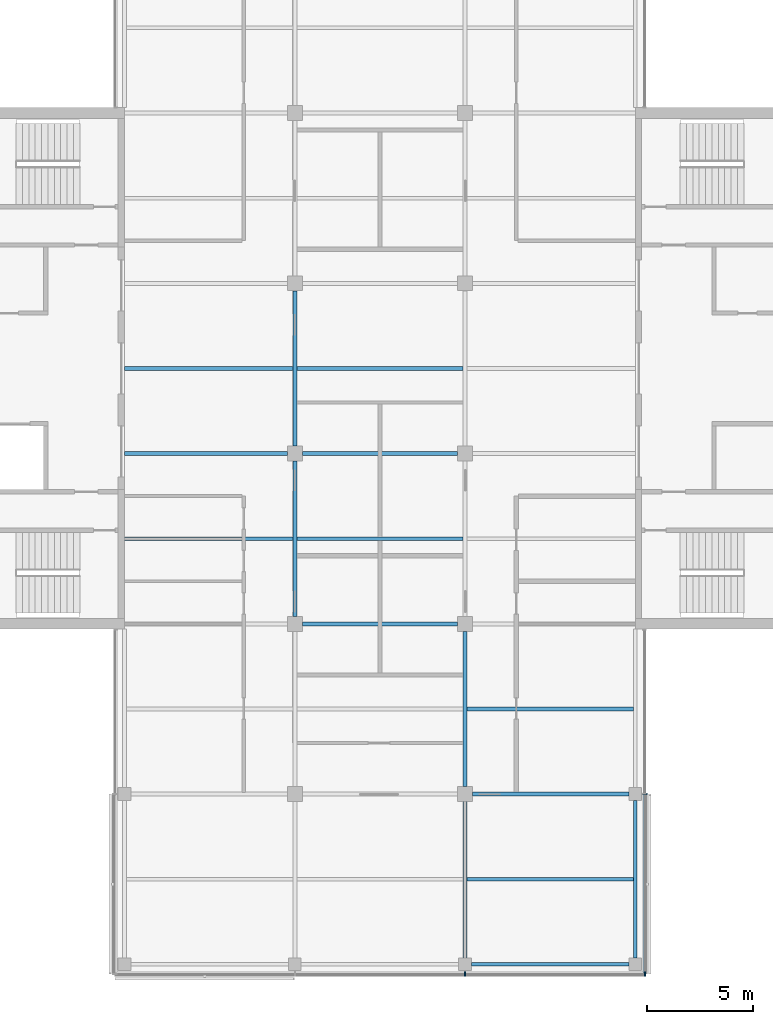
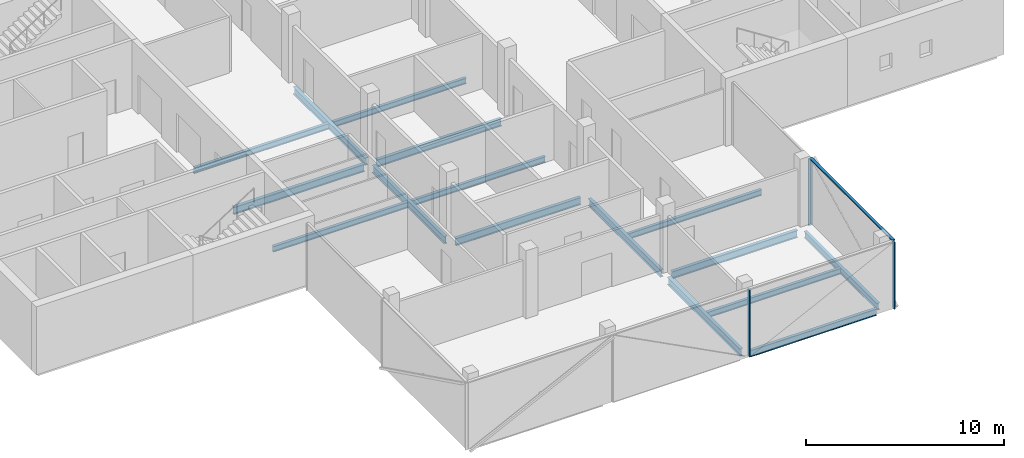
# One storey, part 3 of 16: 16 beams, 4 members, 2 elements without a shape of their own.
"""IFC4 building model written with IfcOpenShell, lengths in metres."""

from ifc_helpers import new_model, si_unit, direction, frame, origin, origin_2d, place, context, subcontext, project, spatial, rectangle, i_section, extrude, material, material_profile, profile_set, type_object, element, aggregate, save


model = new_model("IFC4")

# Units and contexts
model_context = context("Model", 3, precision=1e-05, world=origin(), true_north=direction((0.0, 1.0)))
body_context = subcontext(model_context, "Body", "Model", "MODEL_VIEW")
ifc_project = project(units=[si_unit("LENGTHUNIT", "METRE"), si_unit("AREAUNIT", "SQUARE_METRE"), si_unit("VOLUMEUNIT", "CUBIC_METRE"), si_unit("PLANEANGLEUNIT", "RADIAN"), si_unit("MASSUNIT", "GRAM", prefix="KILO")], contexts=[model_context])

# Site, building, storey
site_placement = place(None, origin())
site = spatial("IfcSite", under=ifc_project, at=site_placement, CompositionType="ELEMENT")
building_placement = place(site_placement, origin())
building = spatial("IfcBuilding", under=site, at=building_placement, Name="Crosswind Convention Tower", CompositionType="ELEMENT")
storey_placement = place(building_placement, frame((0.0, 0.0, 291.300048828125)))
storey = spatial("IfcBuildingStorey", under=building, at=storey_placement, Name="L63", CompositionType="ELEMENT", Elevation=291.300048828125)

# Beams
ifc_material_1 = material(Name="Steel S355", Category="steel")
ifc_material_profile_1 = material_profile(ifc_material_1, i_section(OverallWidth=0.177734375, OverallDepth=0.406494140625, WebThickness=0.0078125, FlangeThickness=0.0126953125, FilletRadius=0.01025390625, at=origin_2d()), Name="UB 406x178x60")
ifc_profile_set_1 = profile_set([ifc_material_profile_1], Name="Steel S355")
beam_type_1 = type_object("IfcBeamType", Name="Edge beam UB 406x178x60", PredefinedType="SPANDREL", material=ifc_profile_set_1)
for number, where, z_axis, x_axis, name in (
    (1, (129.300048828125, 72.0, -0.503173828125), (1.0, 0.0, 0.0), (0.0, 1.0, 0.0), "B15 L63 edge beam 9"),
    (2, (137.0, 72.300048828125, -0.503173828125), (0.0, 1.0, 0.0), (-1.0, 0.0, 0.0), "B15 L63 edge beam 11"),
):
    element("IfcBeam", number, at=place(storey_placement, frame(where, z_axis=z_axis, x_axis=x_axis)), inside=storey, type_object=beam_type_1, Name=name, PredefinedType="SPANDREL", context=body_context, shape_type="SweptSolid", body=[
        extrude(i_section(OverallWidth=0.177734375, OverallDepth=0.406494140625, WebThickness=0.0078125, FlangeThickness=0.0126953125, FilletRadius=0.01025390625, at=origin_2d()), origin(), (0.0, 0.0, 1.0), 7.39990234375),
    ])
ifc_material_profile_2 = material_profile(ifc_material_1, i_section(OverallWidth=0.18994140625, OverallDepth=0.45361328125, WebThickness=0.008544921875, FlangeThickness=0.0126953125, FilletRadius=0.01025390625, at=origin_2d()), Name="UB 457x191x67")
ifc_profile_set_2 = profile_set([ifc_material_profile_2], Name="Steel S355")
beam_type_2 = type_object("IfcBeamType", Name="Girder UB 457x191x67", PredefinedType="BEAM", material=ifc_profile_set_2)
for number, where, z_axis, x_axis, name in (
    (3, (121.0, 88.35009765625, -0.52685546875), (0.0, 1.0, 0.0), (-1.0, 0.0, 0.0), "B1 L63 girder 5"),
    (4, (121.0, 96.35009765625, -0.52685546875), (0.0, 1.0, 0.0), (-1.0, 0.0, 0.0), "B1 L63 girder 6"),
    (5, (121.35009765625, 88.0, -0.52685546875), (1.0, 0.0, 0.0), (0.0, 1.0, 0.0), "B1 L63 girder 11"),
    (6, (121.35009765625, 96.0, -0.52685546875), (1.0, 0.0, 0.0), (0.0, 1.0, 0.0), "B1 L63 girder 12"),
):
    element("IfcBeam", number, at=place(storey_placement, frame(where, z_axis=z_axis, x_axis=x_axis)), inside=storey, type_object=beam_type_2, Name=name, PredefinedType="BEAM", context=body_context, shape_type="SweptSolid", body=[
        extrude(i_section(OverallWidth=0.18994140625, OverallDepth=0.45361328125, WebThickness=0.008544921875, FlangeThickness=0.0126953125, FilletRadius=0.01025390625, at=origin_2d()), origin(), (0.0, 0.0, 1.0), 7.2998046875),
    ])
beam_1_placement = place(storey_placement, frame((129.0, 72.300048828125, -0.52685546875), z_axis=(0.0, 1.0, 0.0), x_axis=(-1.0, 0.0, 0.0)))
element("IfcBeam", 7, at=beam_1_placement, inside=storey, type_object=beam_type_2, Name="B1 L63 girder 16", PredefinedType="BEAM", context=body_context, shape_type="SweptSolid", body=[
    extrude(i_section(OverallWidth=0.18994140625, OverallDepth=0.45361328125, WebThickness=0.008544921875, FlangeThickness=0.0126953125, FilletRadius=0.01025390625, at=origin_2d()), origin(), (0.0, 0.0, 1.0), 7.349853515625),
])
beam_2_placement = place(storey_placement, frame((129.0, 80.35009765625, -0.52685546875), z_axis=(0.0, 1.0, 0.0), x_axis=(-1.0, 0.0, 0.0)))
element("IfcBeam", 8, at=beam_2_placement, inside=storey, type_object=beam_type_2, Name="B1 L63 girder 17", PredefinedType="BEAM", context=body_context, shape_type="SweptSolid", body=[
    extrude(i_section(OverallWidth=0.18994140625, OverallDepth=0.45361328125, WebThickness=0.008544921875, FlangeThickness=0.0126953125, FilletRadius=0.01025390625, at=origin_2d()), origin(), (0.0, 0.0, 1.0), 7.2998046875),
])
beam_3_placement = place(storey_placement, frame((129.35009765625, 80.0, -0.52685546875), z_axis=(1.0, 0.0, 0.0), x_axis=(0.0, 1.0, 0.0)))
element("IfcBeam", 9, at=beam_3_placement, inside=storey, type_object=beam_type_2, Name="B1 L63 girder 23", PredefinedType="BEAM", context=body_context, shape_type="SweptSolid", body=[
    extrude(i_section(OverallWidth=0.18994140625, OverallDepth=0.45361328125, WebThickness=0.008544921875, FlangeThickness=0.0126953125, FilletRadius=0.01025390625, at=origin_2d()), origin(), (0.0, 0.0, 1.0), 7.349853515625),
])
ifc_material_profile_3 = material_profile(ifc_material_1, i_section(OverallWidth=0.1904296875, OverallDepth=0.457275390625, WebThickness=0.009033203125, FlangeThickness=0.014404296875, FilletRadius=0.01025390625, at=origin_2d()), Name="UB 457x191x75")
ifc_profile_set_3 = profile_set([ifc_material_profile_3], Name="Steel S355")
beam_type_3 = type_object("IfcBeamType", Name="Girder at core wall UB 457x191x75", PredefinedType="BEAM", material=ifc_profile_set_3)
beam_4_placement = place(storey_placement, frame((113.0, 96.0, -0.528564453125), z_axis=(1.0, 0.0, 0.0), x_axis=(0.0, 1.0, 0.0)))
element("IfcBeam", 10, at=beam_4_placement, inside=storey, type_object=beam_type_3, Name="B22 L63 girder at core wall 2", PredefinedType="BEAM", context=body_context, shape_type="SweptSolid", body=[
    extrude(i_section(OverallWidth=0.1904296875, OverallDepth=0.457275390625, WebThickness=0.009033203125, FlangeThickness=0.014404296875, FilletRadius=0.01025390625, at=origin_2d()), origin(), (0.0, 0.0, 1.0), 7.64990234375),
])

# Curtain wall, members
ifc_material_2 = material(Name="Aluminium unitised curtain wall", Category="aluminium")
curtain_wall_type = type_object("IfcCurtainWallType", Name="OFFICE UNITISED WALL 220", PredefinedType="USERDEFINED", material=ifc_material_2)
curtain_wall_1_placement = place(storey_placement, origin())
curtain_wall_1 = element("IfcCurtainWall", 11, at=curtain_wall_1_placement, inside=storey, type_object=curtain_wall_type, Name="CW3 L63 S-TIP 1", ObjectType="UNITISED", PredefinedType="USERDEFINED")
ifc_material_3 = material(Name="Aluminium mullion", Category="aluminium")
ifc_material_profile_4 = material_profile(ifc_material_3, rectangle(XDim=0.219970703125, YDim=0.070068359375, at=origin_2d()), Name="AL 220X70")
ifc_profile_set_4 = profile_set([ifc_material_profile_4], Name="Aluminium mullion")
member_type_1 = type_object("IfcMemberType", Name="MULLION 70X220", PredefinedType="MULLION", material=ifc_profile_set_4)
member_1_placement = place(storey_placement, frame((129.0, 71.5400390625, -0.300048828125), z_axis=(0.0, 0.0, 1.0), x_axis=(0.0, -1.0, 0.0)))
member_1 = element("IfcMember", 12, at=member_1_placement, type_object=member_type_1, Name="CW3 mullion 3", PredefinedType="MULLION", context=body_context, shape_type="SweptSolid", body=[
    extrude(rectangle(XDim=0.219970703125, YDim=0.070068359375, at=origin_2d()), origin(), (0.0, 0.0, 1.0), 4.1298828125),
])
member_2_placement = place(storey_placement, frame((137.4599609375, 71.5400390625, -0.300048828125), z_axis=(0.0, 0.0, 1.0), x_axis=(0.0, -1.0, 0.0)))
member_2 = element("IfcMember", 13, at=member_2_placement, type_object=member_type_1, Name="CW3 mullion 4", PredefinedType="MULLION", context=body_context, shape_type="SweptSolid", body=[
    extrude(rectangle(XDim=0.219970703125, YDim=0.070068359375, at=origin_2d()), origin(), (0.0, 0.0, 1.0), 4.1298828125),
])
aggregate(curtain_wall_1, [member_1, member_2])

# Curtain wall, member
curtain_wall_2_placement = place(storey_placement, origin())
curtain_wall_2 = element("IfcCurtainWall", 14, at=curtain_wall_2_placement, inside=storey, type_object=curtain_wall_type, Name="CW3 L63 S-E 1", ObjectType="UNITISED", PredefinedType="USERDEFINED")
member_3_placement = place(storey_placement, frame((137.4599609375, 80.0, -0.300048828125), z_axis=(0.0, 0.0, 1.0), x_axis=(1.0, 0.0, 0.0)))
member_3 = element("IfcMember", 15, at=member_3_placement, type_object=member_type_1, Name="CW3 mullion 2", PredefinedType="MULLION", context=body_context, shape_type="SweptSolid", body=[
    extrude(rectangle(XDim=0.219970703125, YDim=0.070068359375, at=origin_2d()), origin(), (0.0, 0.0, 1.0), 4.1298828125),
])

# Beams
ifc_material_profile_5 = material_profile(ifc_material_1, i_section(OverallWidth=0.17138671875, OverallDepth=0.355712890625, WebThickness=0.00732421875, FlangeThickness=0.011474609375, FilletRadius=0.01025390625, at=origin_2d()), Name="UB 356x171x51")
ifc_profile_set_5 = profile_set([ifc_material_profile_5], Name="Steel S355")
beam_type_4 = type_object("IfcBeamType", Name="Secondary beam UB 356x171x51", PredefinedType="JOIST", material=ifc_profile_set_5)
for number, where, z_axis, x_axis, name in (
    (16, (113.0, 92.0, -0.477783203125), (1.0, 0.0, 0.0), (0.0, 1.0, 0.0), "B8 L63 secondary beam 1"),
    (17, (113.0, 100.0, -0.477783203125), (1.0, 0.0, 0.0), (0.0, 1.0, 0.0), "B8 L63 secondary beam 2"),
):
    element("IfcBeam", number, at=place(storey_placement, frame(where, z_axis=z_axis, x_axis=x_axis)), inside=storey, type_object=beam_type_4, Name=name, PredefinedType="JOIST", context=body_context, shape_type="SweptSolid", body=[
        extrude(i_section(OverallWidth=0.17138671875, OverallDepth=0.355712890625, WebThickness=0.00732421875, FlangeThickness=0.011474609375, FilletRadius=0.01025390625, at=origin_2d()), origin(), (0.0, 0.0, 1.0), 7.905029296875),
    ])
for number, where, z_axis, x_axis, name in (
    (18, (121.094970703125, 92.0, -0.477783203125), (1.0, 0.0, 0.0), (0.0, 1.0, 0.0), "B8 L63 secondary beam 10"),
    (19, (121.094970703125, 100.0, -0.477783203125), (1.0, 0.0, 0.0), (0.0, 1.0, 0.0), "B8 L63 secondary beam 11"),
):
    element("IfcBeam", number, at=place(storey_placement, frame(where, z_axis=z_axis, x_axis=x_axis)), inside=storey, type_object=beam_type_4, Name=name, PredefinedType="JOIST", context=body_context, shape_type="SweptSolid", body=[
        extrude(i_section(OverallWidth=0.17138671875, OverallDepth=0.355712890625, WebThickness=0.00732421875, FlangeThickness=0.011474609375, FilletRadius=0.01025390625, at=origin_2d()), origin(), (0.0, 0.0, 1.0), 7.81005859375),
    ])
for number, where, z_axis, x_axis, name in (
    (20, (129.094970703125, 76.0, -0.477783203125), (1.0, 0.0, 0.0), (0.0, 1.0, 0.0), "B8 L63 secondary beam 15"),
    (21, (129.094970703125, 84.0, -0.477783203125), (1.0, 0.0, 0.0), (0.0, 1.0, 0.0), "B8 L63 secondary beam 16"),
):
    element("IfcBeam", number, at=place(storey_placement, frame(where, z_axis=z_axis, x_axis=x_axis)), inside=storey, type_object=beam_type_4, Name=name, PredefinedType="JOIST", context=body_context, shape_type="SweptSolid", body=[
        extrude(i_section(OverallWidth=0.17138671875, OverallDepth=0.355712890625, WebThickness=0.00732421875, FlangeThickness=0.011474609375, FilletRadius=0.01025390625, at=origin_2d()), origin(), (0.0, 0.0, 1.0), 7.816162109375),
    ])

# Member
ifc_material_4 = material(Name="Aluminium transom", Category="aluminium")
ifc_material_profile_6 = material_profile(ifc_material_4, rectangle(XDim=0.159912109375, YDim=0.070068359375, at=origin_2d()), Name="AL 160X70")
ifc_profile_set_6 = profile_set([ifc_material_profile_6], Name="Aluminium transom")
member_type_2 = type_object("IfcMemberType", Name="TRANSOM 70X160", PredefinedType="USERDEFINED", material=ifc_profile_set_6)
member_4_placement = place(storey_placement, frame((137.4599609375, 71.574951171875, 3.864990234375), z_axis=(0.0, 1.0, 0.0), x_axis=(-1.0, 0.0, 0.0)))
member_4 = element("IfcMember", 22, at=member_4_placement, type_object=member_type_2, Name="CW3 transom", ObjectType="TRANSOM", PredefinedType="USERDEFINED", context=body_context, shape_type="SweptSolid", body=[
    extrude(rectangle(XDim=0.159912109375, YDim=0.070068359375, at=origin_2d()), origin(), (0.0, 0.0, 1.0), 8.39013671875),
])

aggregate(curtain_wall_2, [member_3, member_4])

save(model, "model.ifc")
